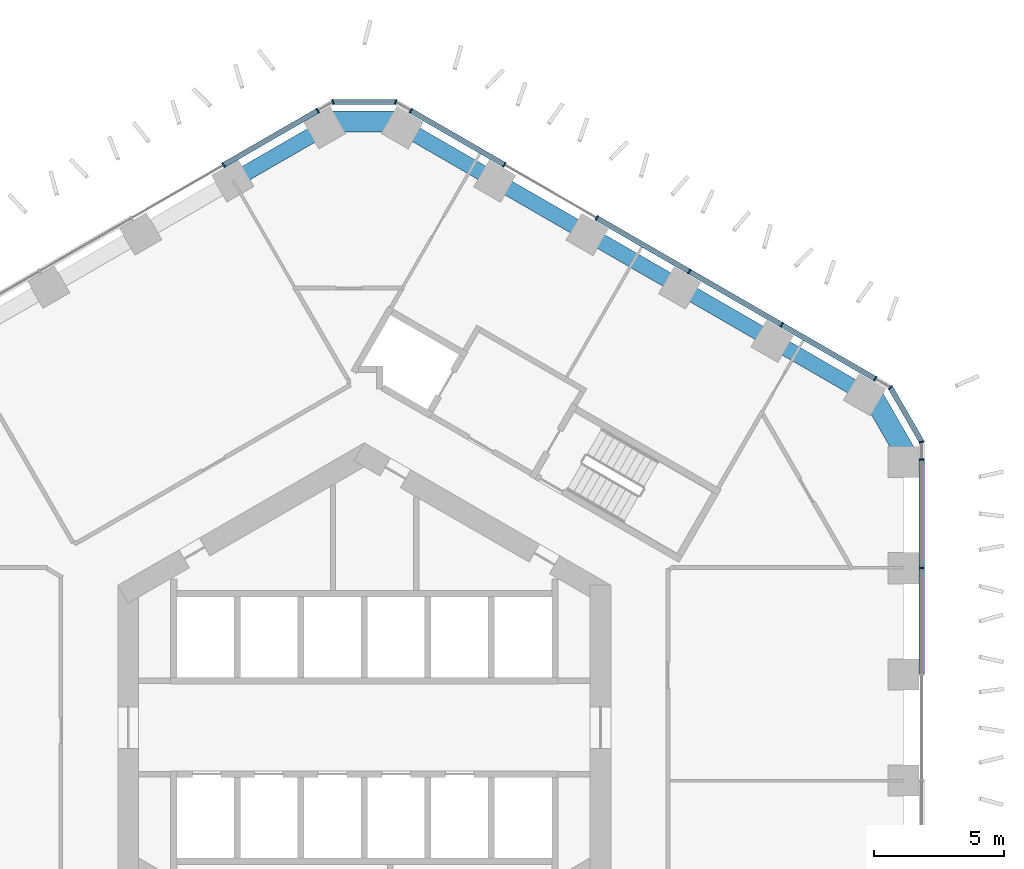
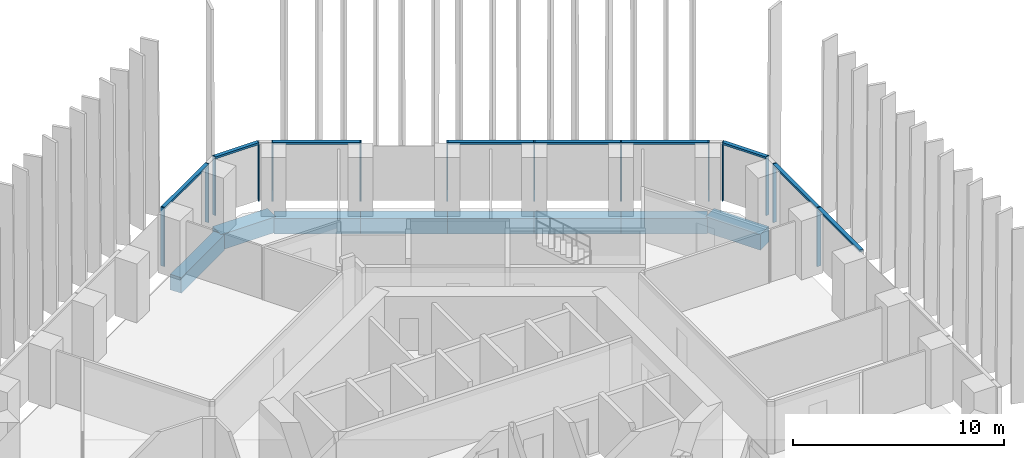
# One storey, part 6 of 18: 20 members, 8 beams, 5 elements without a shape of their own.
"""IFC4 building model written with IfcOpenShell, lengths in metres."""

from ifc_helpers import new_model, si_unit, direction, frame, origin, origin_2d, place, context, subcontext, project, spatial, rectangle, extrude, material, layer, layer_set, material_profile, profile_set, type_object, element, aggregate, save


model = new_model("IFC4")

# Units and contexts
model_context = context("Model", 3, precision=1e-05, world=origin(), true_north=direction((0.0, 1.0)))
body_context = subcontext(model_context, "Body", "Model", "MODEL_VIEW")
ifc_project = project(units=[si_unit("LENGTHUNIT", "METRE"), si_unit("AREAUNIT", "SQUARE_METRE"), si_unit("VOLUMEUNIT", "CUBIC_METRE"), si_unit("PLANEANGLEUNIT", "RADIAN"), si_unit("MASSUNIT", "GRAM", prefix="KILO")], contexts=[model_context])

# Site, building, storey
site_placement = place(None, origin())
site = spatial("IfcSite", under=ifc_project, at=site_placement, CompositionType="ELEMENT")
building_placement = place(site_placement, origin())
building = spatial("IfcBuilding", under=site, at=building_placement, Name="Ayvan Gate Tower", CompositionType="ELEMENT")
storey_placement = place(building_placement, frame((0.0, 0.0, 25.5)))
storey = spatial("IfcBuildingStorey", under=building, at=storey_placement, Name="L05", CompositionType="ELEMENT", Elevation=25.5)

# Beams
ifc_material_1 = material(Name="Concrete C40/50", Category="concrete")
ifc_material_profile_1 = material_profile(ifc_material_1, rectangle(XDim=0.800048828125, YDim=0.89990234375, at=origin_2d()), Name="RC 800x900")
ifc_profile_set_1 = profile_set([ifc_material_profile_1], Name="Concrete C40/50")
beam_type_1 = type_object("IfcBeamType", Name="Corner spandrel beam RC 800x900 C40/50", PredefinedType="BEAM", material=ifc_profile_set_1)
for number, where, z_axis, x_axis, name in (
    (1, (20.97509765625, 10.3779296875, -0.800048828125), (-0.499990139034, 0.866031096941, 0.0), (-0.866031096941, -0.499990139034, 0.0), "SB-L05-6"),
    (2, (1.5, 23.35400390625, -0.800048828125), (-1.0, 0.0, 0.0), (0.0, -1.0, 0.0), "SB-L05-12"),
):
    element("IfcBeam", number, at=place(storey_placement, frame(where, z_axis=z_axis, x_axis=x_axis)), inside=storey, type_object=beam_type_1, Name=name, PredefinedType="BEAM", context=body_context, shape_type="SweptSolid", body=[
        extrude(rectangle(XDim=0.800048828125, YDim=0.89990234375, at=origin_2d()), origin(), (0.0, 0.0, 1.0), 3.0),
    ])
ifc_material_profile_2 = material_profile(ifc_material_1, rectangle(XDim=0.60009765625, YDim=0.89990234375, at=origin_2d()), Name="RC 600x900")
ifc_profile_set_2 = profile_set([ifc_material_profile_2], Name="Concrete C40/50")
beam_type_2 = type_object("IfcBeamType", Name="Spandrel beam RC 600x900 C40/50", PredefinedType="BEAM", material=ifc_profile_set_2)
for number, where, z_axis, x_axis, name in (
    (3, (19.28466796875, 12.865966796875, -0.800048828125), (-0.866010373586, 0.500026032164, 0.0), (-0.500026032164, -0.866010373586, 0.0), "SB-L05-7"),
    (4, (15.727783203125, 14.919677734375, -0.800048828125), (-0.866050971923, 0.499955712069, 0.0), (-0.499955712069, -0.866050971923, 0.0), "SB-L05-8"),
    (5, (12.170654296875, 16.97314453125, -0.800048828125), (-0.866010373586, 0.500026032164, 0.0), (-0.500026032164, -0.866010373586, 0.0), "SB-L05-9"),
    (6, (8.61376953125, 19.02685546875, -0.800048828125), (-0.866036113234, 0.499981450231, 0.0), (-0.499981450231, -0.866036113234, 0.0), "SB-L05-10"),
    (7, (5.056884765625, 21.080322265625, -0.800048828125), (-0.866010373586, 0.500026032164, 0.0), (-0.500026032164, -0.866010373586, 0.0), "SB-L05-11"),
    (8, (-1.5, 23.134033203125, -0.800048828125), (-0.866010373586, -0.500026032164, 0.0), (0.500026032164, -0.866010373586, 0.0), "SB-L05-13"),
):
    element("IfcBeam", number, at=place(storey_placement, frame(where, z_axis=z_axis, x_axis=x_axis)), inside=storey, type_object=beam_type_2, Name=name, PredefinedType="BEAM", context=body_context, shape_type="SweptSolid", body=[
        extrude(rectangle(XDim=0.60009765625, YDim=0.89990234375, at=origin_2d()), origin(), (0.0, 0.0, 1.0), 4.107177734375),
    ])

# Curtain wall, members
ifc_material_2 = material(Name="Bronze anodised aluminium", Category="aluminium")
ifc_layer_1 = layer(ifc_material_2, 0.199951171875)
ifc_layer_set_1 = layer_set([ifc_layer_1], Name="Bronze anodised aluminium")
curtain_wall_type_1 = type_object("IfcCurtainWallType", Name="Stick curtain wall CW-1", PredefinedType="NOTDEFINED", material=ifc_layer_set_1)
curtain_wall_1_placement = place(storey_placement, origin())
curtain_wall_1 = element("IfcCurtainWall", 9, at=curtain_wall_1_placement, inside=storey, type_object=curtain_wall_type_1, Name="Stick curtain wall CW-1 L05", PredefinedType="NOTDEFINED")
ifc_material_profile_3 = material_profile(ifc_material_2, rectangle(XDim=0.199951171875, YDim=0.06005859375, at=origin_2d()), Name="Stick curtain wall CW-1 mullion 200 x 60")
ifc_profile_set_3 = profile_set([ifc_material_profile_3], Name="Bronze anodised aluminium")
member_type_1 = type_object("IfcMemberType", Name="Stick curtain wall CW-1 mullion 200 x 60", PredefinedType="MULLION", material=ifc_profile_set_3)
member_1_placement = place(storey_placement, frame((-1.796142578125, 23.771240234375, 0.0), z_axis=(0.0, 0.0, 1.0), x_axis=(-0.5, 0.866025403784, 0.0)))
member_1 = element("IfcMember", 10, at=member_1_placement, type_object=member_type_1, Name="CW-1 mullion 1", PredefinedType="MULLION", context=body_context, shape_type="SweptSolid", body=[
    extrude(rectangle(XDim=0.199951171875, YDim=0.06005859375, at=origin_2d()), origin(), (0.0, 0.0, 1.0), 3.39990234375),
])
member_2_placement = place(storey_placement, frame((-5.4248046875, 21.67626953125, 0.0), z_axis=(0.0, 0.0, 1.0), x_axis=(-0.5, 0.866025403784, 0.0)))
member_2 = element("IfcMember", 11, at=member_2_placement, type_object=member_type_1, Name="CW-1 mullion 2", PredefinedType="MULLION", context=body_context, shape_type="SweptSolid", body=[
    extrude(rectangle(XDim=0.199951171875, YDim=0.06005859375, at=origin_2d()), origin(), (0.0, 0.0, 1.0), 3.39990234375),
])

curtain_wall_2_placement = place(storey_placement, origin())
curtain_wall_2 = element("IfcCurtainWall", 12, at=curtain_wall_2_placement, inside=storey, type_object=curtain_wall_type_1, Name="Stick curtain wall CW-1 L05", PredefinedType="NOTDEFINED")
member_3_placement = place(storey_placement, frame((21.484619140625, 6.139892578125, 0.0), z_axis=(0.0, 0.0, 1.0), x_axis=(1.0, 0.0, 0.0)))
member_3 = element("IfcMember", 13, at=member_3_placement, type_object=member_type_1, Name="CW-1 mullion 5", PredefinedType="MULLION", context=body_context, shape_type="SweptSolid", body=[
    extrude(rectangle(XDim=0.199951171875, YDim=0.06005859375, at=origin_2d()), origin(), (0.0, 0.0, 1.0), 3.39990234375),
])
member_4_placement = place(storey_placement, frame((21.484619140625, 10.330078125, 0.0), z_axis=(0.0, 0.0, 1.0), x_axis=(1.0, 0.0, 0.0)))
member_4 = element("IfcMember", 14, at=member_4_placement, type_object=member_type_1, Name="CW-1 mullion 6", PredefinedType="MULLION", context=body_context, shape_type="SweptSolid", body=[
    extrude(rectangle(XDim=0.199951171875, YDim=0.06005859375, at=origin_2d()), origin(), (0.0, 0.0, 1.0), 3.39990234375),
])

curtain_wall_3_placement = place(storey_placement, origin())
curtain_wall_3 = element("IfcCurtainWall", 15, at=curtain_wall_3_placement, inside=storey, type_object=curtain_wall_type_1, Name="Stick curtain wall CW-1 L05", PredefinedType="NOTDEFINED")
member_5_placement = place(storey_placement, frame((19.6884765625, 13.441162109375, 0.0), z_axis=(0.0, 0.0, 1.0), x_axis=(0.5, 0.866025403784, 0.0)))
member_5 = element("IfcMember", 16, at=member_5_placement, type_object=member_type_1, Name="CW-1 mullion 1", PredefinedType="MULLION", context=body_context, shape_type="SweptSolid", body=[
    extrude(rectangle(XDim=0.199951171875, YDim=0.06005859375, at=origin_2d()), origin(), (0.0, 0.0, 1.0), 3.39990234375),
])
member_6_placement = place(storey_placement, frame((16.086669921875, 15.520751953125, 0.0), z_axis=(0.0, 0.0, 1.0), x_axis=(0.5, 0.866025403784, 0.0)))
member_6 = element("IfcMember", 17, at=member_6_placement, type_object=member_type_1, Name="CW-1 mullion 2", PredefinedType="MULLION", context=body_context, shape_type="SweptSolid", body=[
    extrude(rectangle(XDim=0.199951171875, YDim=0.06005859375, at=origin_2d()), origin(), (0.0, 0.0, 1.0), 3.39990234375),
])
member_7_placement = place(storey_placement, frame((12.52392578125, 17.57763671875, 0.0), z_axis=(0.0, 0.0, 1.0), x_axis=(0.5, 0.866025403784, 0.0)))
member_7 = element("IfcMember", 18, at=member_7_placement, type_object=member_type_1, Name="CW-1 mullion 3", PredefinedType="MULLION", context=body_context, shape_type="SweptSolid", body=[
    extrude(rectangle(XDim=0.199951171875, YDim=0.06005859375, at=origin_2d()), origin(), (0.0, 0.0, 1.0), 3.39990234375),
])
member_8_placement = place(storey_placement, frame((8.9609375, 19.634765625, 0.0), z_axis=(0.0, 0.0, 1.0), x_axis=(0.5, 0.866025403784, 0.0)))
member_8 = element("IfcMember", 19, at=member_8_placement, type_object=member_type_1, Name="CW-1 mullion 4", PredefinedType="MULLION", context=body_context, shape_type="SweptSolid", body=[
    extrude(rectangle(XDim=0.199951171875, YDim=0.06005859375, at=origin_2d()), origin(), (0.0, 0.0, 1.0), 3.39990234375),
])
member_9_placement = place(storey_placement, frame((5.398193359375, 21.691650390625, 0.0), z_axis=(0.0, 0.0, 1.0), x_axis=(0.5, 0.866025403784, 0.0)))
member_9 = element("IfcMember", 20, at=member_9_placement, type_object=member_type_1, Name="CW-1 mullion 5", PredefinedType="MULLION", context=body_context, shape_type="SweptSolid", body=[
    extrude(rectangle(XDim=0.199951171875, YDim=0.06005859375, at=origin_2d()), origin(), (0.0, 0.0, 1.0), 3.39990234375),
])
member_10_placement = place(storey_placement, frame((1.796142578125, 23.771240234375, 0.0), z_axis=(0.0, 0.0, 1.0), x_axis=(0.5, 0.866025403784, 0.0)))
member_10 = element("IfcMember", 21, at=member_10_placement, type_object=member_type_1, Name="CW-1 mullion 6", PredefinedType="MULLION", context=body_context, shape_type="SweptSolid", body=[
    extrude(rectangle(XDim=0.199951171875, YDim=0.06005859375, at=origin_2d()), origin(), (0.0, 0.0, 1.0), 3.39990234375),
])

# Member
ifc_material_profile_4 = material_profile(ifc_material_2, rectangle(XDim=0.199951171875, YDim=0.1201171875, at=origin_2d()), Name="Stick curtain wall CW-1 transom 200 x 120")
ifc_profile_set_4 = profile_set([ifc_material_profile_4], Name="Bronze anodised aluminium")
member_type_2 = type_object("IfcMemberType", Name="Stick curtain wall CW-1 transom 200 x 120", PredefinedType="USERDEFINED", material=ifc_profile_set_4)
member_11_placement = place(storey_placement, frame((-1.796142578125, 23.771240234375, 3.340087890625), z_axis=(-0.866024334523, -0.500001852011, 0.0), x_axis=(0.500001852011, -0.866024334523, 0.0)))
member_11 = element("IfcMember", 22, at=member_11_placement, type_object=member_type_2, Name="CW-1 transom 1", ObjectType="TRANSOM", PredefinedType="USERDEFINED", context=body_context, shape_type="SweptSolid", body=[
    extrude(rectangle(XDim=0.199951171875, YDim=0.1201171875, at=origin_2d()), origin(), (0.0, 0.0, 1.0), 4.16015625),
])

aggregate(curtain_wall_1, [member_1, member_2, member_11])

member_12_placement = place(storey_placement, frame((21.484619140625, 2.076904296875, 3.340087890625), z_axis=(0.0, 1.0, 0.0), x_axis=(-1.0, 0.0, 0.0)))
member_12 = element("IfcMember", 23, at=member_12_placement, type_object=member_type_2, Name="CW-1 transom 2", ObjectType="TRANSOM", PredefinedType="USERDEFINED", context=body_context, shape_type="SweptSolid", body=[
    extrude(rectangle(XDim=0.199951171875, YDim=0.1201171875, at=origin_2d()), origin(), (0.0, 0.0, 1.0), 8.253173828125),
])

aggregate(curtain_wall_2, [member_3, member_4, member_12])

member_13_placement = place(storey_placement, frame((19.6884765625, 13.441162109375, 3.340087890625), z_axis=(-0.866025355442, 0.500000083731, 0.0), x_axis=(-0.500000083731, -0.866025355442, 0.0)))
member_13 = element("IfcMember", 24, at=member_13_placement, type_object=member_type_2, Name="CW-1 transom 1", ObjectType="TRANSOM", PredefinedType="USERDEFINED", context=body_context, shape_type="SweptSolid", body=[
    extrude(rectangle(XDim=0.199951171875, YDim=0.1201171875, at=origin_2d()), origin(), (0.0, 0.0, 1.0), 12.35693359375),
])

member_14_placement = place(storey_placement, frame((5.3720703125, 21.70654296875, 3.340087890625), z_axis=(-0.866011306743, 0.500024415998, 0.0), x_axis=(-0.500024415998, -0.866011306743, 0.0)))
member_14 = element("IfcMember", 25, at=member_14_placement, type_object=member_type_2, Name="CW-1 transom 2", ObjectType="TRANSOM", PredefinedType="USERDEFINED", context=body_context, shape_type="SweptSolid", body=[
    extrude(rectangle(XDim=0.199951171875, YDim=0.1201171875, at=origin_2d()), origin(), (0.0, 0.0, 1.0), 4.129150390625),
])

aggregate(curtain_wall_3, [member_5, member_6, member_7, member_8, member_9, member_10, member_13, member_14])

# Curtain wall, members
ifc_layer_2 = layer(ifc_material_2, 0.199951171875)
ifc_layer_set_2 = layer_set([ifc_layer_2], Name="Bronze anodised aluminium")
curtain_wall_type_2 = type_object("IfcCurtainWallType", Name="Stick curtain wall CW-6", PredefinedType="NOTDEFINED", material=ifc_layer_set_2)
curtain_wall_4_placement = place(storey_placement, origin())
curtain_wall_4 = element("IfcCurtainWall", 26, at=curtain_wall_4_placement, inside=storey, type_object=curtain_wall_type_2, Name="Stick curtain wall CW-6 L05", PredefinedType="NOTDEFINED")
ifc_material_profile_5 = material_profile(ifc_material_2, rectangle(XDim=0.199951171875, YDim=0.050048828125, at=origin_2d()), Name="Stick curtain wall CW-6 mullion 200 x 50")
ifc_profile_set_5 = profile_set([ifc_material_profile_5], Name="Bronze anodised aluminium")
member_type_3 = type_object("IfcMemberType", Name="Stick curtain wall CW-6 mullion 200 x 50", PredefinedType="MULLION", material=ifc_profile_set_5)
member_15_placement = place(storey_placement, frame((21.484619140625, 11.010009765625, 0.0), z_axis=(0.0, 0.0, 1.0), x_axis=(0.965925826289, 0.258819045103, 0.0)))
member_15 = element("IfcMember", 27, at=member_15_placement, type_object=member_type_3, Name="CW-6 mullion 2", PredefinedType="MULLION", context=body_context, shape_type="SweptSolid", body=[
    extrude(rectangle(XDim=0.199951171875, YDim=0.050048828125, at=origin_2d()), origin(), (0.0, 0.0, 1.0), 3.39990234375),
])
member_16_placement = place(storey_placement, frame((20.27734375, 13.10107421875, 0.0), z_axis=(0.0, 0.0, 1.0), x_axis=(0.707106781187, 0.707106781187, 0.0)))
member_16 = element("IfcMember", 28, at=member_16_placement, type_object=member_type_3, Name="CW-6 mullion 3", PredefinedType="MULLION", context=body_context, shape_type="SweptSolid", body=[
    extrude(rectangle(XDim=0.199951171875, YDim=0.050048828125, at=origin_2d()), origin(), (0.0, 0.0, 1.0), 3.39990234375),
])

curtain_wall_5_placement = place(storey_placement, origin())
curtain_wall_5 = element("IfcCurtainWall", 29, at=curtain_wall_5_placement, inside=storey, type_object=curtain_wall_type_2, Name="Stick curtain wall CW-6 L05", PredefinedType="NOTDEFINED")
member_17_placement = place(storey_placement, frame((1.207275390625, 24.111328125, 0.0), z_axis=(0.0, 0.0, 1.0), x_axis=(0.258819045103, 0.965925826289, 0.0)))
member_17 = element("IfcMember", 30, at=member_17_placement, type_object=member_type_3, Name="CW-6 mullion 2", PredefinedType="MULLION", context=body_context, shape_type="SweptSolid", body=[
    extrude(rectangle(XDim=0.199951171875, YDim=0.050048828125, at=origin_2d()), origin(), (0.0, 0.0, 1.0), 3.39990234375),
])
member_18_placement = place(storey_placement, frame((-1.207275390625, 24.111328125, 0.0), z_axis=(0.0, 0.0, 1.0), x_axis=(-0.258819045103, 0.965925826289, 0.0)))
member_18 = element("IfcMember", 31, at=member_18_placement, type_object=member_type_3, Name="CW-6 mullion 3", PredefinedType="MULLION", context=body_context, shape_type="SweptSolid", body=[
    extrude(rectangle(XDim=0.199951171875, YDim=0.050048828125, at=origin_2d()), origin(), (0.0, 0.0, 1.0), 3.39990234375),
])

# Member
ifc_material_profile_6 = material_profile(ifc_material_2, rectangle(XDim=0.199951171875, YDim=0.1201171875, at=origin_2d()), Name="Stick curtain wall CW-6 transom 200 x 120")
ifc_profile_set_6 = profile_set([ifc_material_profile_6], Name="Bronze anodised aluminium")
member_type_4 = type_object("IfcMemberType", Name="Stick curtain wall CW-6 transom 200 x 120", PredefinedType="USERDEFINED", material=ifc_profile_set_6)
member_19_placement = place(storey_placement, frame((21.47216796875, 11.03173828125, 3.340087890625), z_axis=(-0.500014398087, 0.866017090885, 0.0), x_axis=(-0.866017090885, -0.500014398087, 0.0)))
member_19 = element("IfcMember", 32, at=member_19_placement, type_object=member_type_4, Name="CW-6 transom 2", ObjectType="TRANSOM", PredefinedType="USERDEFINED", context=body_context, shape_type="SweptSolid", body=[
    extrude(rectangle(XDim=0.199951171875, YDim=0.1201171875, at=origin_2d()), origin(), (0.0, 0.0, 1.0), 2.36474609375),
])

aggregate(curtain_wall_4, [member_15, member_16, member_19])

member_20_placement = place(storey_placement, frame((1.182373046875, 24.111328125, 3.340087890625), z_axis=(-1.0, 0.0, 0.0), x_axis=(0.0, -1.0, 0.0)))
member_20 = element("IfcMember", 33, at=member_20_placement, type_object=member_type_4, Name="CW-6 transom 2", ObjectType="TRANSOM", PredefinedType="USERDEFINED", context=body_context, shape_type="SweptSolid", body=[
    extrude(rectangle(XDim=0.199951171875, YDim=0.1201171875, at=origin_2d()), origin(), (0.0, 0.0, 1.0), 2.36474609375),
])

aggregate(curtain_wall_5, [member_17, member_18, member_20])

save(model, "model.ifc")
